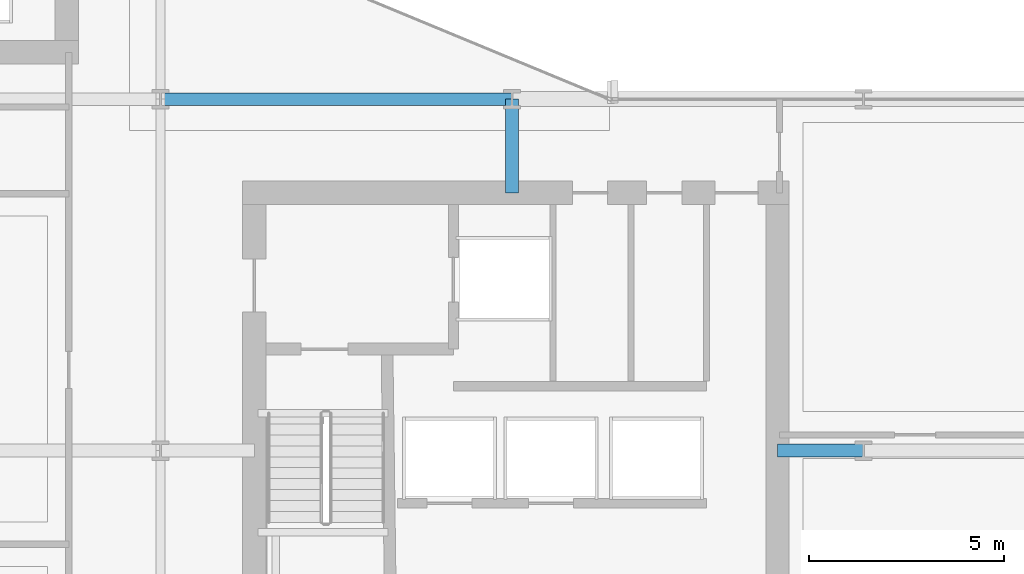
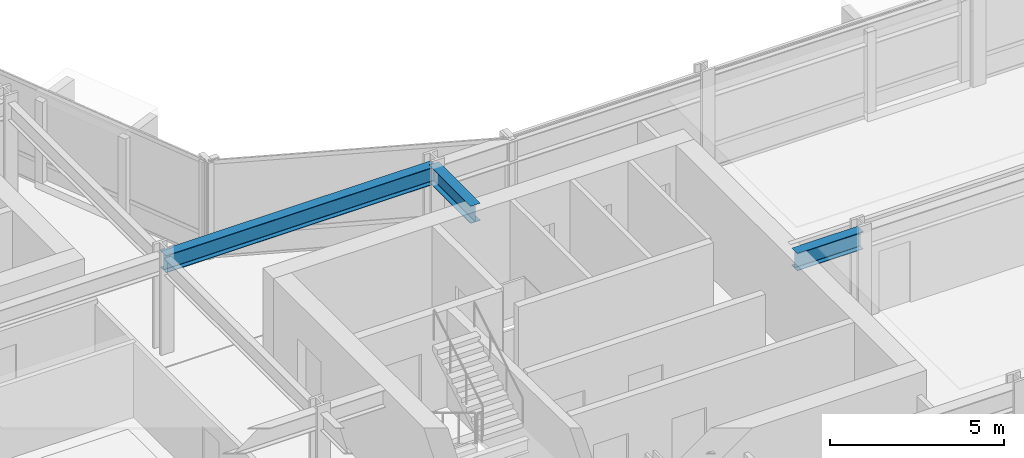
# One storey, part 14 of 34: 3 beams.
"""IFC4 building model written with IfcOpenShell, lengths in metres."""

from ifc_helpers import new_model, si_unit, direction, frame, origin, origin_2d, place, context, subcontext, project, spatial, i_section, extrude, material, material_profile, profile_set, type_object, element, save


model = new_model("IFC4")

# Units and contexts
model_context = context("Model", 3, precision=1e-05, world=origin(), true_north=direction((0.0, 1.0)))
body_context = subcontext(model_context, "Body", "Model", "MODEL_VIEW")
ifc_project = project(units=[si_unit("LENGTHUNIT", "METRE"), si_unit("AREAUNIT", "SQUARE_METRE"), si_unit("VOLUMEUNIT", "CUBIC_METRE"), si_unit("PLANEANGLEUNIT", "RADIAN"), si_unit("MASSUNIT", "GRAM", prefix="KILO")], contexts=[model_context])

# Site, building, storey
site_placement = place(None, origin())
site = spatial("IfcSite", under=ifc_project, at=site_placement, CompositionType="ELEMENT")
building_placement = place(site_placement, origin())
building = spatial("IfcBuilding", under=site, at=building_placement, Name="Solvaryn Broadcast Tower", CompositionType="ELEMENT")
storey_placement = place(building_placement, frame((0.0, 0.0, 61.89990234375)))
storey = spatial("IfcBuildingStorey", under=building, at=storey_placement, Name="L14", CompositionType="ELEMENT", Elevation=61.89990234375)

# Beams
ifc_material = material(Name="Steel ASTM A992 Grade 50", Category="steel")
ifc_material_profile = material_profile(ifc_material, i_section(OverallWidth=0.323974609375, OverallDepth=0.611083984375, WebThickness=0.0126953125, FlangeThickness=0.01904296875, FilletRadius=0.014892578125, at=origin_2d()))
ifc_profile_set = profile_set([ifc_material_profile], Name="Steel ASTM A992 Grade 50")
beam_type = type_object("IfcBeamType", Name="BM-B1-W24X104", PredefinedType="BEAM", material=ifc_profile_set)
beam_1_placement = place(storey_placement, frame((27.0, 27.0, 3.114501953125), z_axis=(1.0, 0.0, 0.0), x_axis=(0.0, 1.0, 0.0)))
element("IfcBeam", 1, at=beam_1_placement, inside=storey, type_object=beam_type, Name="L14 Primary Beam X (27-36 @ Y=27)", PredefinedType="BEAM", context=body_context, shape_type="SweptSolid", body=[
    extrude(i_section(OverallWidth=0.323974609375, OverallDepth=0.611083984375, WebThickness=0.0126953125, FlangeThickness=0.01904296875, FilletRadius=0.014892578125, at=origin_2d()), origin(), (0.0, 0.0, 1.0), 9.0),
])
beam_2_placement = place(storey_placement, frame((36.0, 24.60009765625, 3.114501953125), z_axis=(0.0, 1.0, 0.0), x_axis=(-1.0, 0.0, 0.0)))
element("IfcBeam", 2, at=beam_2_placement, inside=storey, type_object=beam_type, Name="L14 Core Tie Beam CTE2", PredefinedType="BEAM", context=body_context, shape_type="SweptSolid", body=[
    extrude(i_section(OverallWidth=0.323974609375, OverallDepth=0.611083984375, WebThickness=0.0126953125, FlangeThickness=0.01904296875, FilletRadius=0.014892578125, at=origin_2d()), origin(), (0.0, 0.0, 1.0), 2.39990234375),
])
beam_3_placement = place(storey_placement, frame((42.800048828125, 18.0, 3.114501953125), z_axis=(1.0, 0.0, 0.0), x_axis=(0.0, 1.0, 0.0)))
element("IfcBeam", 3, at=beam_3_placement, inside=storey, type_object=beam_type, Name="L14 Core Tie Beam CTE3", PredefinedType="BEAM", context=body_context, shape_type="SweptSolid", body=[
    extrude(i_section(OverallWidth=0.323974609375, OverallDepth=0.611083984375, WebThickness=0.0126953125, FlangeThickness=0.01904296875, FilletRadius=0.014892578125, at=origin_2d()), origin(), (0.0, 0.0, 1.0), 2.199951171875),
])

save(model, "model.ifc")
